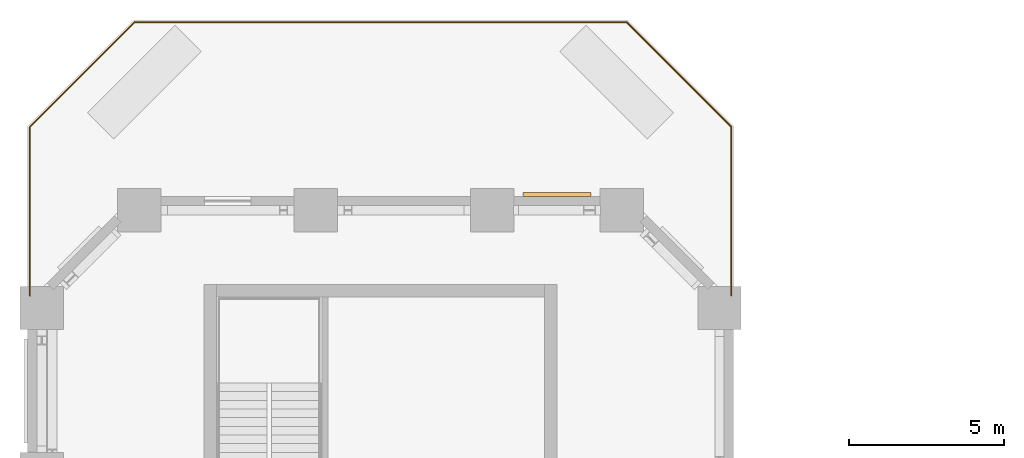
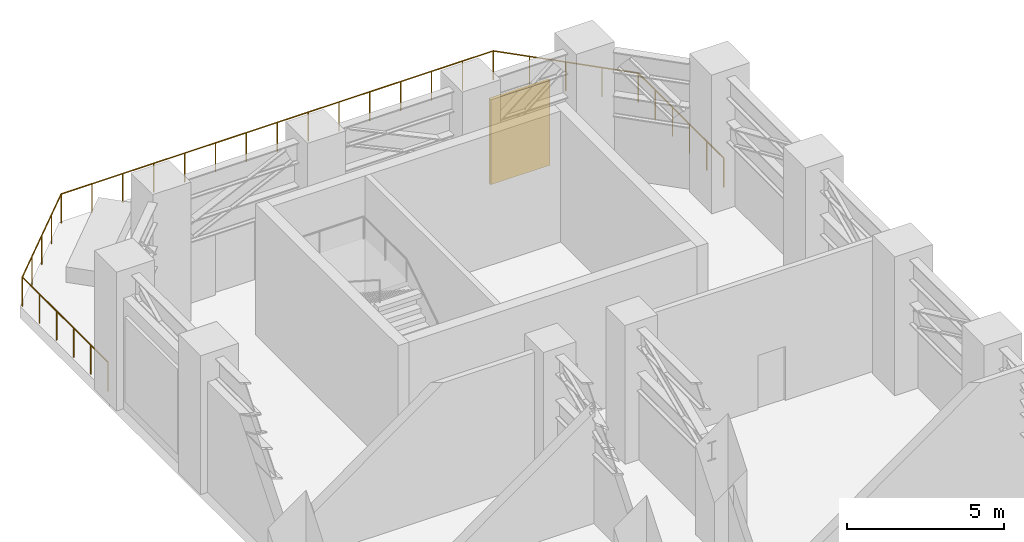
# One storey, part 14 of 14: 1 railing, 1 shading device.
"""IFC4 building model written with IfcOpenShell, lengths in metres."""

import ifcopenshell
import ifcopenshell.guid

model = None  # the IFC model being written
_history = None  # IfcOwnerHistory: only IFC2X3 demands one
_inside = {}  # id of a spatial element -> (the spatial element, [elements in it])
_under = {}  # id of a project, library or spatial element -> (it, [spatial elements below it])
_declared = {}  # id of a project -> (the project, [libraries it declares])
_typed = {}  # id of a type object -> (the type object, [elements of that type])
_made_of = {}  # id of a material, layer set ... -> (it, [elements and type objects made of it])


def new_model(schema):
    """Start an empty IFC model of exactly this schema.

    Asked for "IFC4X3", IfcOpenShell would pick the latest addendum, in which some entities
    have other attributes; the version numbers below select the first issue.
    IFC2X3 requires an IfcOwnerHistory on every rooted entity: one is made here for all.
    """
    global model, _history
    if schema == "IFC4X3":
        model = ifcopenshell.file(schema_version=(4, 3, 0, 0))
    else:
        model = ifcopenshell.file(schema=schema)
    _inside.clear()
    _under.clear()
    _declared.clear()
    _typed.clear()
    _made_of.clear()
    _history = None
    if model.schema == "IFC2X3":
        org = make("IfcOrganization", Name="unknown")
        user = make(
            "IfcPersonAndOrganization",
            ThePerson=make("IfcPerson", FamilyName="unknown"),
            TheOrganization=org,
        )
        app = make(
            "IfcApplication",
            ApplicationDeveloper=org,
            Version="unknown",
            ApplicationFullName="unknown",
            ApplicationIdentifier="unknown",
        )
        _history = make(
            "IfcOwnerHistory",
            OwningUser=user,
            OwningApplication=app,
            ChangeAction="ADDED",
            CreationDate=0,
        )
    return model


def make(cls, **values):
    """One entity of the class cls with the attributes given. An attribute that is None is left unset."""
    return model.create_entity(
        cls, **{name: value for name, value in values.items() if value is not None}
    )


def rooted(cls, **values):
    """An entity with a GlobalId (a new one), such as an element, a storey or a relation."""
    return make(cls, GlobalId=ifcopenshell.guid.new(), OwnerHistory=_history, **values)


def si_unit(unit_type, name, prefix=None):
    """IfcSIUnit, for example si_unit("LENGTHUNIT", "METRE", prefix="MILLI")."""
    return make("IfcSIUnit", UnitType=unit_type, Prefix=prefix, Name=name)


def assignment(units):
    """IfcUnitAssignment: the units of a project."""
    return None if units is None else make("IfcUnitAssignment", Units=units)


def point(xyz):
    """IfcCartesianPoint."""
    return None if xyz is None else make("IfcCartesianPoint", Coordinates=xyz)


def direction(xyz):
    """IfcDirection."""
    return None if xyz is None else make("IfcDirection", DirectionRatios=xyz)


def frame(location, z_axis=None, x_axis=None):
    """IfcAxis2Placement3D, a coordinate frame: its origin and axes. An axis left out is left unset."""
    return make(
        "IfcAxis2Placement3D",
        Location=point(location),
        Axis=direction(z_axis),
        RefDirection=direction(x_axis),
    )


def frame_2d(location, x_axis=None):
    """IfcAxis2Placement2D, a coordinate frame in the plane: its origin and x axis."""
    return make(
        "IfcAxis2Placement2D", Location=point(location), RefDirection=direction(x_axis)
    )


def origin():
    """The frame at (0, 0, 0) with its axes left unset."""
    return frame((0.0, 0.0, 0.0))


def origin_2d():
    """The frame at (0, 0) in the plane with its x axis left unset."""
    return frame_2d((0.0, 0.0))


def place(relative_to, where):
    """IfcLocalPlacement: puts the frame where relative to a parent placement (None: the world)."""
    return make(
        "IfcLocalPlacement", PlacementRelTo=relative_to, RelativePlacement=where
    )


def context(
    kind, dimensions, precision=None, world=None, true_north=None, identifier=None
):
    """IfcGeometricRepresentationContext, for example the 3D "Model" context."""
    return make(
        "IfcGeometricRepresentationContext",
        ContextIdentifier=identifier,
        ContextType=kind,
        CoordinateSpaceDimension=dimensions,
        Precision=precision,
        WorldCoordinateSystem=world,
        TrueNorth=true_north,
    )


def subcontext(parent, identifier, kind, view, scale=None):
    """IfcGeometricRepresentationSubContext, for example "Body" below "Model"."""
    return make(
        "IfcGeometricRepresentationSubContext",
        ContextIdentifier=identifier,
        ContextType=kind,
        ParentContext=parent,
        TargetScale=scale,
        TargetView=view,
    )


def project(units=None, contexts=None):
    """IfcProject with its units and contexts."""
    return rooted(
        "IfcProject",
        Name="project",
        RepresentationContexts=contexts,
        UnitsInContext=assignment(units),
    )


def spatial(cls, under=None, at=None, **own):
    """A site, building, storey or space (cls), placed at a placement, below another one or the project."""
    s = rooted(cls, ObjectPlacement=at, **own)
    if under is not None:
        _under.setdefault(under.id(), (under, []))[1].append(s)
    return s


def profile(cls, at=None, kind="AREA", **sizes):
    """A parametric profile (cls). Its sizes go by their IFC names, for example OverallWidth=200.0."""
    return make(cls, ProfileType=kind, Position=at, **sizes)


def rectangle(**sizes):
    """IfcRectangleProfileDef."""
    return profile("IfcRectangleProfileDef", **sizes)


def circle(**sizes):
    """IfcCircleProfileDef."""
    return profile("IfcCircleProfileDef", **sizes)


def extrude(swept, where, along, depth):
    """IfcExtrudedAreaSolid: the profile swept, set in the frame where, extruded along a direction by depth."""
    return make(
        "IfcExtrudedAreaSolid",
        SweptArea=swept,
        Position=where,
        ExtrudedDirection=direction(along),
        Depth=depth,
    )


def shape(context_of_items, identifier, shape_type, items):
    """IfcShapeRepresentation: the items that make up one representation, for example the "Body"."""
    return make(
        "IfcShapeRepresentation",
        ContextOfItems=context_of_items,
        RepresentationIdentifier=identifier,
        RepresentationType=shape_type,
        Items=items,
    )


def material(Name=None, Category=None):
    """IfcMaterial."""
    return make("IfcMaterial", Name=Name, Category=Category)


def layer(
    of_material, thickness, ventilated=None, Name=None, Category=None, Priority=None
):
    """IfcMaterialLayer: one layer of a wall or slab, of a material (None: an air gap)."""
    return make(
        "IfcMaterialLayer",
        Material=of_material,
        LayerThickness=thickness,
        IsVentilated=ventilated,
        Name=Name,
        Category=Category,
        Priority=Priority,
    )


def layer_set(layers, Name=None):
    """IfcMaterialLayerSet."""
    return make("IfcMaterialLayerSet", MaterialLayers=layers, LayerSetName=Name)


def made_of(thing, what):
    """Note that an element or type object is made of a material, layer set ...; save() writes the relation."""
    if what is not None:
        _made_of.setdefault(what.id(), (what, []))[1].append(thing)
    return thing


def type_object(cls, material=None, **own):
    """A type object (cls), such as IfcWallType, which elements share."""
    return made_of(rooted(cls, **own), material)


def element(
    cls,
    number,
    at=None,
    inside=None,
    cuts=None,
    type_object=None,
    material=None,
    context=None,
    identifier="Body",
    shape_type=None,
    held_by="IfcProductDefinitionShape",
    body=None,
    shapes=None,
    **own,
):
    """One element of the class cls, such as IfcWall. Its Tag is "e" and its number.

    at: its placement. inside: the storey or other place that contains it. cuts: it is an
    opening in that element (IfcRelVoidsElement). A single representation is given by context,
    identifier, shape_type and body (its items); several are given by shapes. held_by: the class
    of the entity that holds the representations. save() writes the other relations.
    """
    e = rooted(cls, Tag="e%d" % number, ObjectPlacement=at, **own)
    if body is not None:
        shapes = [shape(context, identifier, shape_type, body)]
    if shapes is not None:
        e.Representation = make(held_by, Representations=shapes)
    if inside is not None:
        _inside.setdefault(inside.id(), (inside, []))[1].append(e)
    if cuts is not None:
        rooted(
            "IfcRelVoidsElement", RelatingBuildingElement=cuts, RelatedOpeningElement=e
        )
    if type_object is not None:
        _typed.setdefault(type_object.id(), (type_object, []))[1].append(e)
    return made_of(e, material)


def aggregate(whole, parts):
    """IfcRelAggregates: a whole, such as a stair, and the parts it consists of."""
    return rooted("IfcRelAggregates", RelatingObject=whole, RelatedObjects=parts)


def save(model, path):
    """Write the relations noted so far, then the file.

    IfcRelAggregates (storeys below a building ...), IfcRelContainedInSpatialStructure (elements
    in a storey), IfcRelDefinesByType, IfcRelAssociatesMaterial and IfcRelDeclares: one each for
    every whole, place, type object, material and project.
    """
    for whole, parts in _under.values():
        aggregate(whole, parts)
    for where, things in _inside.values():
        rooted(
            "IfcRelContainedInSpatialStructure",
            RelatedElements=things,
            RelatingStructure=where,
        )
    for kind, things in _typed.values():
        rooted("IfcRelDefinesByType", RelatedObjects=things, RelatingType=kind)
    for what, things in _made_of.values():
        rooted("IfcRelAssociatesMaterial", RelatedObjects=things, RelatingMaterial=what)
    for by, libraries in _declared.values():
        rooted("IfcRelDeclares", RelatingContext=by, RelatedDefinitions=libraries)
    model.write(path)


model = new_model("IFC4")

# Units and contexts
model_context = context("Model", 3, precision=1e-05, world=origin(), true_north=direction((0.0, 1.0)))
body_context = subcontext(model_context, "Body", "Model", "MODEL_VIEW")
ifc_project = project(units=[si_unit("LENGTHUNIT", "METRE"), si_unit("AREAUNIT", "SQUARE_METRE"), si_unit("VOLUMEUNIT", "CUBIC_METRE"), si_unit("PLANEANGLEUNIT", "RADIAN"), si_unit("MASSUNIT", "GRAM", prefix="KILO")], contexts=[model_context])

# Site, building, storey
site_placement = place(None, origin())
site = spatial("IfcSite", under=ifc_project, at=site_placement, CompositionType="ELEMENT")
building_placement = place(site_placement, origin())
building = spatial("IfcBuilding", under=site, at=building_placement, Name="Meshkara Civic Tower", CompositionType="ELEMENT")
storey_placement = place(building_placement, frame((0.0, 0.0, 91.800048828125)))
storey = spatial("IfcBuildingStorey", under=building, at=storey_placement, Name="L20", CompositionType="ELEMENT", Elevation=91.800048828125)

# Shading device
ifc_material_1 = material(Name="Bronze anodised aluminium louvre blades", Category="aluminium")
ifc_layer = layer(ifc_material_1, 0.1201171875)
ifc_layer_set = layer_set([ifc_layer], Name="PLANT LOUVRE BANK")
shading_device_type = type_object("IfcShadingDeviceType", Name="PLANT LOUVRE BANK", PredefinedType="USERDEFINED", material=ifc_layer_set)
shading_device_placement = place(storey_placement, frame((17.10009765625, 77.580078125, 0.5), z_axis=(0.0, 0.0, 1.0), x_axis=(-1.0, 0.0, 0.0)))
element("IfcShadingDevice", 1, at=shading_device_placement, inside=storey, type_object=shading_device_type, Name="Louvre bank", ObjectType="LOUVRE", PredefinedType="USERDEFINED", context=body_context, shape_type="SweptSolid", body=[
    extrude(rectangle(XDim=2.18798828125, YDim=0.1201171875, at=origin_2d()), origin(), (0.0, 0.0, 1.0), 3.300048828125),
])

# Railing
ifc_material_2 = material(Name="Steel S355", Category="steel")
railing_type = type_object("IfcRailingType", Name="TERRACE BALUSTRADE 1150", PredefinedType="BALUSTRADE", material=ifc_material_2)
railing_placement = place(storey_placement, frame((0.070068359375, 74.31103515625, 0.0)))
element("IfcRailing", 2, at=railing_placement, inside=storey, type_object=railing_type, Name="Terrace guard", PredefinedType="BALUSTRADE", context=body_context, shape_type="SweptSolid", body=[
    extrude(circle(Radius=0.02392578125, at=origin_2d()), frame((0.0, 0.0, 1.1259765625), z_axis=(0.0, 1.0, 0.0), x_axis=(-1.0, 0.0, 0.0)), (0.0, 0.0, 1.0), 5.4599609375),
    extrude(circle(Radius=0.02392578125, at=origin_2d()), frame((0.0, 5.4599609375, 1.1259765625), z_axis=(0.707106781187, 0.707106781187, 0.0), x_axis=(-0.707106781187, 0.707106781187, 0.0)), (0.0, 0.0, 1.0), 4.778564453125),
    extrude(circle(Radius=0.02392578125, at=origin_2d()), frame((3.37890625, 8.8388671875, 1.1259765625), z_axis=(1.0, 0.0, 0.0), x_axis=(0.0, 1.0, 0.0)), (0.0, 0.0, 1.0), 15.902099609375),
    extrude(circle(Radius=0.02392578125, at=origin_2d()), frame((19.281005859375, 8.8388671875, 1.1259765625), z_axis=(0.707106781187, -0.707106781187, 0.0), x_axis=(0.707106781187, 0.707106781187, 0.0)), (0.0, 0.0, 1.0), 4.778564453125),
    extrude(circle(Radius=0.02392578125, at=origin_2d()), frame((22.659912109375, 5.4599609375, 1.1259765625), z_axis=(0.0, -1.0, 0.0), x_axis=(1.0, 0.0, 0.0)), (0.0, 0.0, 1.0), 5.4599609375),
    extrude(circle(Radius=0.02099609375, at=origin_2d()), origin(), (0.0, 0.0, 1.0), 1.101806640625),
    extrude(circle(Radius=0.02099609375, at=origin_2d()), frame((0.0, 1.092041015625, 0.0)), (0.0, 0.0, 1.0), 1.101806640625),
    extrude(circle(Radius=0.02099609375, at=origin_2d()), frame((0.0, 2.18408203125, 0.0)), (0.0, 0.0, 1.0), 1.101806640625),
    extrude(circle(Radius=0.02099609375, at=origin_2d()), frame((0.0, 3.27587890625, 0.0)), (0.0, 0.0, 1.0), 1.101806640625),
    extrude(circle(Radius=0.02099609375, at=origin_2d()), frame((0.0, 4.367919921875, 0.0)), (0.0, 0.0, 1.0), 1.101806640625),
    extrude(circle(Radius=0.02099609375, at=origin_2d()), frame((0.0, 5.4599609375, 0.0)), (0.0, 0.0, 1.0), 1.101806640625),
    extrude(circle(Radius=0.02099609375, at=origin_2d()), frame((0.8447265625, 6.3046875, 0.0)), (0.0, 0.0, 1.0), 1.101806640625),
    extrude(circle(Radius=0.02099609375, at=origin_2d()), frame((1.689453125, 7.1494140625, 0.0)), (0.0, 0.0, 1.0), 1.101806640625),
    extrude(circle(Radius=0.02099609375, at=origin_2d()), frame((2.5341796875, 7.994140625, 0.0)), (0.0, 0.0, 1.0), 1.101806640625),
    extrude(circle(Radius=0.02099609375, at=origin_2d()), frame((3.37890625, 8.8388671875, 0.0)), (0.0, 0.0, 1.0), 1.101806640625),
    extrude(circle(Radius=0.02099609375, at=origin_2d()), frame((4.5146484375, 8.8388671875, 0.0)), (0.0, 0.0, 1.0), 1.101806640625),
    extrude(circle(Radius=0.02099609375, at=origin_2d()), frame((5.650634765625, 8.8388671875, 0.0)), (0.0, 0.0, 1.0), 1.101806640625),
    extrude(circle(Radius=0.02099609375, at=origin_2d()), frame((6.78662109375, 8.8388671875, 0.0)), (0.0, 0.0, 1.0), 1.101806640625),
    extrude(circle(Radius=0.02099609375, at=origin_2d()), frame((7.92236328125, 8.8388671875, 0.0)), (0.0, 0.0, 1.0), 1.101806640625),
    extrude(circle(Radius=0.02099609375, at=origin_2d()), frame((9.05810546875, 8.8388671875, 0.0)), (0.0, 0.0, 1.0), 1.101806640625),
    extrude(circle(Radius=0.02099609375, at=origin_2d()), frame((10.194091796875, 8.8388671875, 0.0)), (0.0, 0.0, 1.0), 1.101806640625),
    extrude(circle(Radius=0.02099609375, at=origin_2d()), frame((11.330078125, 8.8388671875, 0.0)), (0.0, 0.0, 1.0), 1.101806640625),
    extrude(circle(Radius=0.02099609375, at=origin_2d()), frame((12.4658203125, 8.8388671875, 0.0)), (0.0, 0.0, 1.0), 1.101806640625),
    extrude(circle(Radius=0.02099609375, at=origin_2d()), frame((13.6015625, 8.8388671875, 0.0)), (0.0, 0.0, 1.0), 1.101806640625),
    extrude(circle(Radius=0.02099609375, at=origin_2d()), frame((14.737548828125, 8.8388671875, 0.0)), (0.0, 0.0, 1.0), 1.101806640625),
    extrude(circle(Radius=0.02099609375, at=origin_2d()), frame((15.87353515625, 8.8388671875, 0.0)), (0.0, 0.0, 1.0), 1.101806640625),
    extrude(circle(Radius=0.02099609375, at=origin_2d()), frame((17.00927734375, 8.8388671875, 0.0)), (0.0, 0.0, 1.0), 1.101806640625),
    extrude(circle(Radius=0.02099609375, at=origin_2d()), frame((18.14501953125, 8.8388671875, 0.0)), (0.0, 0.0, 1.0), 1.101806640625),
    extrude(circle(Radius=0.02099609375, at=origin_2d()), frame((19.281005859375, 8.8388671875, 0.0)), (0.0, 0.0, 1.0), 1.101806640625),
    extrude(circle(Radius=0.02099609375, at=origin_2d()), frame((20.125732421875, 7.994140625, 0.0)), (0.0, 0.0, 1.0), 1.101806640625),
    extrude(circle(Radius=0.02099609375, at=origin_2d()), frame((20.970458984375, 7.1494140625, 0.0)), (0.0, 0.0, 1.0), 1.101806640625),
    extrude(circle(Radius=0.02099609375, at=origin_2d()), frame((21.815185546875, 6.3046875, 0.0)), (0.0, 0.0, 1.0), 1.101806640625),
    extrude(circle(Radius=0.02099609375, at=origin_2d()), frame((22.659912109375, 5.4599609375, 0.0)), (0.0, 0.0, 1.0), 1.101806640625),
    extrude(circle(Radius=0.02099609375, at=origin_2d()), frame((22.659912109375, 4.367919921875, 0.0)), (0.0, 0.0, 1.0), 1.101806640625),
    extrude(circle(Radius=0.02099609375, at=origin_2d()), frame((22.659912109375, 3.27587890625, 0.0)), (0.0, 0.0, 1.0), 1.101806640625),
    extrude(circle(Radius=0.02099609375, at=origin_2d()), frame((22.659912109375, 2.18408203125, 0.0)), (0.0, 0.0, 1.0), 1.101806640625),
    extrude(circle(Radius=0.02099609375, at=origin_2d()), frame((22.659912109375, 1.092041015625, 0.0)), (0.0, 0.0, 1.0), 1.101806640625),
    extrude(circle(Radius=0.02099609375, at=origin_2d()), frame((22.659912109375, 0.0, 0.0)), (0.0, 0.0, 1.0), 1.101806640625),
])

save(model, "model.ifc")
